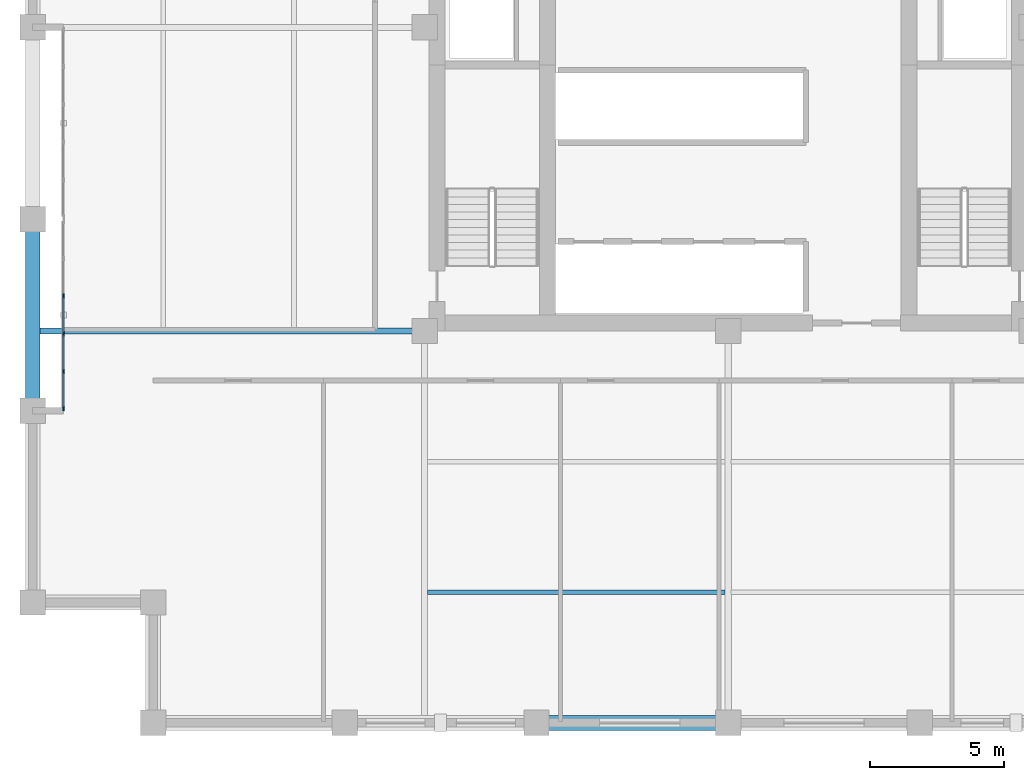
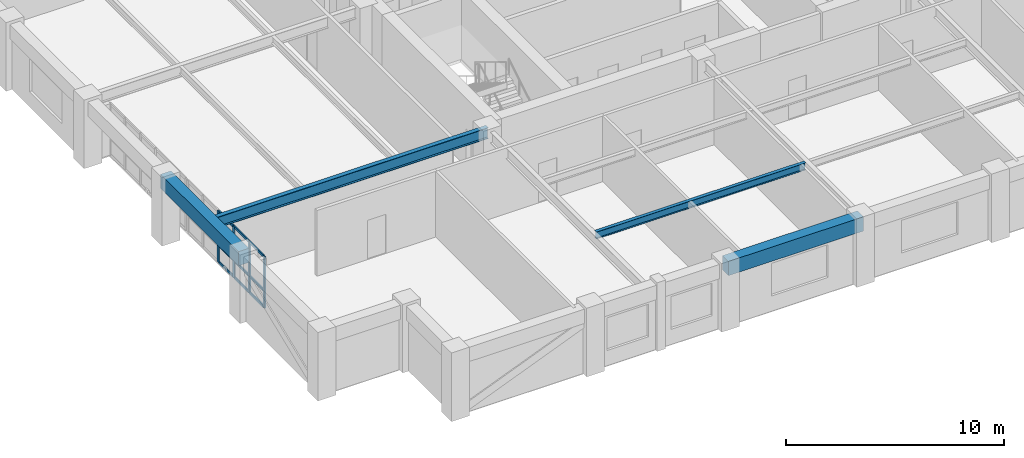
# One storey, part 2 of 12: 13 members, 4 beams, 1 element without a shape of its own.
"""IFC4 building model written with IfcOpenShell, lengths in metres."""

from ifc_helpers import new_model, si_unit, direction, frame, origin, origin_2d, place, context, subcontext, project, spatial, rectangle, i_section, extrude, material, layer, layer_set, material_profile, profile_set, type_object, element, aggregate, save


model = new_model("IFC4")

# Units and contexts
model_context = context("Model", 3, precision=1e-05, world=origin(), true_north=direction((0.0, 1.0)))
body_context = subcontext(model_context, "Body", "Model", "MODEL_VIEW")
ifc_project = project(units=[si_unit("LENGTHUNIT", "METRE"), si_unit("AREAUNIT", "SQUARE_METRE"), si_unit("VOLUMEUNIT", "CUBIC_METRE"), si_unit("PLANEANGLEUNIT", "RADIAN"), si_unit("MASSUNIT", "GRAM", prefix="KILO")], contexts=[model_context])

# Site, building, storey
site_placement = place(None, origin())
site = spatial("IfcSite", under=ifc_project, at=site_placement, CompositionType="ELEMENT")
building_placement = place(site_placement, origin())
building = spatial("IfcBuilding", under=site, at=building_placement, Name="Nhamokura Convention Tower", CompositionType="ELEMENT")
storey_placement = place(building_placement, frame((0.0, 0.0, 164.5)))
storey = spatial("IfcBuildingStorey", under=building, at=storey_placement, Name="L40", CompositionType="ELEMENT", Elevation=164.5)

# Curtain wall, members
ifc_material_1 = material(Name="Anodised bronze aluminium AA6063-T6", Category="aluminium")
ifc_layer = layer(ifc_material_1, 0.159912109375)
ifc_layer_set = layer_set([ifc_layer], Name="CWSystem_ScaleSlot_Zone2")
curtain_wall_type = type_object("IfcCurtainWallType", Name="CWSystem_ScaleSlot_Zone2", PredefinedType="NOTDEFINED", material=ifc_layer_set)
curtain_wall_placement = place(storey_placement, origin())
curtain_wall = element("IfcCurtainWall", 1, at=curtain_wall_placement, inside=storey, type_object=curtain_wall_type, Name="L40 Curtain Wall ENV-L40-SLOT-W1", PredefinedType="NOTDEFINED")
ifc_material_2 = material(Name="Anodised bronze aluminium AA6063-T6", Category="aluminium")
ifc_material_profile_1 = material_profile(ifc_material_2, rectangle(XDim=0.06494140625, YDim=0.1650390625, at=origin_2d()))
ifc_profile_set_1 = profile_set([ifc_material_profile_1], Name="Anodised bronze aluminium AA6063-T6")
member_type_1 = type_object("IfcMemberType", Name="CWMullion_3", PredefinedType="MULLION", material=ifc_profile_set_1)
member_1_placement = place(storey_placement, frame((7.14990234375, 17.75927734375, 0.0), z_axis=(0.0, 0.0, 1.0), x_axis=(-1.0, 0.0, 0.0)))
member_1 = element("IfcMember", 2, at=member_1_placement, type_object=member_type_1, Name="CW-04 mullion 1", PredefinedType="MULLION", context=body_context, shape_type="SweptSolid", body=[
    extrude(rectangle(XDim=0.06494140625, YDim=0.1650390625, at=origin_2d()), origin(), (0.0, 0.0, 1.0), 2.885009765625),
])
member_2_placement = place(storey_placement, frame((7.14990234375, 19.135986328125, 0.0), z_axis=(0.0, 0.0, 1.0), x_axis=(-1.0, 0.0, 0.0)))
member_2 = element("IfcMember", 3, at=member_2_placement, type_object=member_type_1, Name="CW-04 mullion 2", PredefinedType="MULLION", context=body_context, shape_type="SweptSolid", body=[
    extrude(rectangle(XDim=0.06494140625, YDim=0.1650390625, at=origin_2d()), origin(), (0.0, 0.0, 1.0), 2.885009765625),
])
member_3_placement = place(storey_placement, frame((7.14990234375, 20.54541015625, 0.0), z_axis=(0.0, 0.0, 1.0), x_axis=(-1.0, 0.0, 0.0)))
member_3 = element("IfcMember", 4, at=member_3_placement, type_object=member_type_1, Name="CW-04 mullion 3", PredefinedType="MULLION", context=body_context, shape_type="SweptSolid", body=[
    extrude(rectangle(XDim=0.06494140625, YDim=0.1650390625, at=origin_2d()), origin(), (0.0, 0.0, 1.0), 2.885009765625),
])
member_4_placement = place(storey_placement, frame((7.14990234375, 21.95458984375, 0.0), z_axis=(0.0, 0.0, 1.0), x_axis=(-1.0, 0.0, 0.0)))
member_4 = element("IfcMember", 5, at=member_4_placement, type_object=member_type_1, Name="CW-04 mullion 4", PredefinedType="MULLION", context=body_context, shape_type="SweptSolid", body=[
    extrude(rectangle(XDim=0.06494140625, YDim=0.1650390625, at=origin_2d()), origin(), (0.0, 0.0, 1.0), 2.885009765625),
])
ifc_material_3 = material(Name="Anodised bronze aluminium AA6063-T6", Category="aluminium")
ifc_material_profile_2 = material_profile(ifc_material_3, rectangle(XDim=0.06494140625, YDim=0.139892578125, at=origin_2d()))
ifc_profile_set_2 = profile_set([ifc_material_profile_2], Name="Anodised bronze aluminium AA6063-T6")
member_type_2 = type_object("IfcMemberType", Name="CWTransom_3", PredefinedType="USERDEFINED", material=ifc_profile_set_2)
member_5_placement = place(storey_placement, frame((7.14990234375, 17.791748046875, 0.032470703125), z_axis=(0.0, 1.0, 0.0), x_axis=(-1.0, 0.0, 0.0)))
member_5 = element("IfcMember", 6, at=member_5_placement, type_object=member_type_2, Name="CW-04 transom 1.1", ObjectType="TRANSOM", PredefinedType="USERDEFINED", context=body_context, shape_type="SweptSolid", body=[
    extrude(rectangle(XDim=0.06494140625, YDim=0.139892578125, at=origin_2d()), origin(), (0.0, 0.0, 1.0), 1.311767578125),
])
member_6_placement = place(storey_placement, frame((7.14990234375, 17.791748046875, 0.949951171875), z_axis=(0.0, 1.0, 0.0), x_axis=(-1.0, 0.0, 0.0)))
member_6 = element("IfcMember", 7, at=member_6_placement, type_object=member_type_2, Name="CW-04 transom 1.2", ObjectType="TRANSOM", PredefinedType="USERDEFINED", context=body_context, shape_type="SweptSolid", body=[
    extrude(rectangle(XDim=0.06494140625, YDim=0.139892578125, at=origin_2d()), origin(), (0.0, 0.0, 1.0), 1.311767578125),
])
member_7_placement = place(storey_placement, frame((7.14990234375, 17.791748046875, 2.8525390625), z_axis=(0.0, 1.0, 0.0), x_axis=(-1.0, 0.0, 0.0)))
member_7 = element("IfcMember", 8, at=member_7_placement, type_object=member_type_2, Name="CW-04 transom 1.3", ObjectType="TRANSOM", PredefinedType="USERDEFINED", context=body_context, shape_type="SweptSolid", body=[
    extrude(rectangle(XDim=0.06494140625, YDim=0.139892578125, at=origin_2d()), origin(), (0.0, 0.0, 1.0), 1.311767578125),
])
member_8_placement = place(storey_placement, frame((7.14990234375, 19.16845703125, 0.032470703125), z_axis=(0.0, 1.0, 0.0), x_axis=(-1.0, 0.0, 0.0)))
member_8 = element("IfcMember", 9, at=member_8_placement, type_object=member_type_2, Name="CW-04 transom 2.1", ObjectType="TRANSOM", PredefinedType="USERDEFINED", context=body_context, shape_type="SweptSolid", body=[
    extrude(rectangle(XDim=0.06494140625, YDim=0.139892578125, at=origin_2d()), origin(), (0.0, 0.0, 1.0), 1.344482421875),
])
member_9_placement = place(storey_placement, frame((7.14990234375, 19.16845703125, 0.949951171875), z_axis=(0.0, 1.0, 0.0), x_axis=(-1.0, 0.0, 0.0)))
member_9 = element("IfcMember", 10, at=member_9_placement, type_object=member_type_2, Name="CW-04 transom 2.2", ObjectType="TRANSOM", PredefinedType="USERDEFINED", context=body_context, shape_type="SweptSolid", body=[
    extrude(rectangle(XDim=0.06494140625, YDim=0.139892578125, at=origin_2d()), origin(), (0.0, 0.0, 1.0), 1.344482421875),
])
member_10_placement = place(storey_placement, frame((7.14990234375, 19.16845703125, 2.8525390625), z_axis=(0.0, 1.0, 0.0), x_axis=(-1.0, 0.0, 0.0)))
member_10 = element("IfcMember", 11, at=member_10_placement, type_object=member_type_2, Name="CW-04 transom 2.3", ObjectType="TRANSOM", PredefinedType="USERDEFINED", context=body_context, shape_type="SweptSolid", body=[
    extrude(rectangle(XDim=0.06494140625, YDim=0.139892578125, at=origin_2d()), origin(), (0.0, 0.0, 1.0), 1.344482421875),
])
member_11_placement = place(storey_placement, frame((7.14990234375, 20.577880859375, 0.032470703125), z_axis=(0.0, 1.0, 0.0), x_axis=(-1.0, 0.0, 0.0)))
member_11 = element("IfcMember", 12, at=member_11_placement, type_object=member_type_2, Name="CW-04 transom 3.1", ObjectType="TRANSOM", PredefinedType="USERDEFINED", context=body_context, shape_type="SweptSolid", body=[
    extrude(rectangle(XDim=0.06494140625, YDim=0.139892578125, at=origin_2d()), origin(), (0.0, 0.0, 1.0), 1.34423828125),
])
member_12_placement = place(storey_placement, frame((7.14990234375, 20.577880859375, 0.949951171875), z_axis=(0.0, 1.0, 0.0), x_axis=(-1.0, 0.0, 0.0)))
member_12 = element("IfcMember", 13, at=member_12_placement, type_object=member_type_2, Name="CW-04 transom 3.2", ObjectType="TRANSOM", PredefinedType="USERDEFINED", context=body_context, shape_type="SweptSolid", body=[
    extrude(rectangle(XDim=0.06494140625, YDim=0.139892578125, at=origin_2d()), origin(), (0.0, 0.0, 1.0), 1.34423828125),
])
member_13_placement = place(storey_placement, frame((7.14990234375, 20.577880859375, 2.8525390625), z_axis=(0.0, 1.0, 0.0), x_axis=(-1.0, 0.0, 0.0)))
member_13 = element("IfcMember", 14, at=member_13_placement, type_object=member_type_2, Name="CW-04 transom 3.3", ObjectType="TRANSOM", PredefinedType="USERDEFINED", context=body_context, shape_type="SweptSolid", body=[
    extrude(rectangle(XDim=0.06494140625, YDim=0.139892578125, at=origin_2d()), origin(), (0.0, 0.0, 1.0), 1.34423828125),
])
aggregate(curtain_wall, [member_1, member_2, member_3, member_4, member_5, member_6, member_7, member_8, member_9, member_10, member_11, member_12, member_13])

# Beams
ifc_material_4 = material(Name="Steel ASTM A992 Gr 50", Category="steel")
ifc_material_profile_3 = material_profile(ifc_material_4, i_section(OverallWidth=0.177001953125, OverallDepth=0.403076171875, WebThickness=0.007568359375, FlangeThickness=0.010986328125, at=origin_2d()))
ifc_profile_set_3 = profile_set([ifc_material_profile_3], Name="Steel ASTM A992 Gr 50")
beam_type_1 = type_object("IfcBeamType", Name="FloorJoist_W410X53", PredefinedType="JOIST", material=ifc_profile_set_3)
beam_1_placement = place(storey_placement, frame((20.762939453125, 10.88330078125, 3.4833984375), z_axis=(1.0, 0.0, 0.0), x_axis=(0.0, 1.0, 0.0)))
element("IfcBeam", 15, at=beam_1_placement, inside=storey, type_object=beam_type_1, Name="L40 Composite Floor Joist S1A", PredefinedType="JOIST", context=body_context, shape_type="SweptSolid", body=[
    extrude(i_section(OverallWidth=0.177001953125, OverallDepth=0.403076171875, WebThickness=0.007568359375, FlangeThickness=0.010986328125, at=origin_2d()), origin(), (0.0, 0.0, 1.0), 11.1240234375),
])
ifc_material_5 = material(Name="Steel ASTM A992 Gr 50", Category="steel")
ifc_material_profile_4 = material_profile(ifc_material_5, i_section(OverallWidth=0.22998046875, OverallDepth=0.616943359375, WebThickness=0.01318359375, FlangeThickness=0.022216796875, at=origin_2d()))
ifc_profile_set_4 = profile_set([ifc_material_profile_4], Name="Steel ASTM A992 Gr 50")
beam_type_2 = type_object("IfcBeamType", Name="PrimaryGirder_W610X140", PredefinedType="BEAM", material=ifc_profile_set_4)
beam_2_placement = place(storey_placement, frame((6.0, 20.64990234375, 3.37646484375), z_axis=(1.0, 0.0, 0.0), x_axis=(0.0, 1.0, 0.0)))
element("IfcBeam", 16, at=beam_2_placement, inside=storey, type_object=beam_type_2, Name="L40 Primary Floor Girder PG-W1", PredefinedType="BEAM", context=body_context, shape_type="SweptSolid", body=[
    extrude(i_section(OverallWidth=0.22998046875, OverallDepth=0.616943359375, WebThickness=0.01318359375, FlangeThickness=0.022216796875, at=origin_2d()), origin(), (0.0, 0.0, 1.0), 14.64990234375),
])
ifc_material_6 = material(Name="Concrete C50/60", Category="concrete")
ifc_material_profile_5 = material_profile(ifc_material_6, rectangle(XDim=0.550048828125, YDim=0.800048828125, at=origin_2d()))
ifc_profile_set_5 = profile_set([ifc_material_profile_5], Name="Concrete C50/60")
beam_type_3 = type_object("IfcBeamType", Name="TubeSpandrel_800", PredefinedType="SPANDREL", material=ifc_profile_set_5)
beam_3_placement = place(storey_placement, frame((24.833251953125, 6.0, 3.284912109375), z_axis=(1.0, 0.0, 0.0), x_axis=(0.0, 1.0, 0.0)))
element("IfcBeam", 17, at=beam_3_placement, inside=storey, type_object=beam_type_3, Name="L40 Perimeter Spandrel SOUTH 3", PredefinedType="SPANDREL", context=body_context, shape_type="SweptSolid", body=[
    extrude(rectangle(XDim=0.550048828125, YDim=0.800048828125, at=origin_2d()), origin(), (0.0, 0.0, 1.0), 7.166748046875),
])
beam_4_placement = place(storey_placement, frame((6.0, 17.666748046875, 3.284912109375), z_axis=(0.0, 1.0, 0.0), x_axis=(-1.0, 0.0, 0.0)))
element("IfcBeam", 18, at=beam_4_placement, inside=storey, type_object=beam_type_3, Name="L40 Perimeter Spandrel WEST 2", PredefinedType="SPANDREL", context=body_context, shape_type="SweptSolid", body=[
    extrude(rectangle(XDim=0.550048828125, YDim=0.800048828125, at=origin_2d()), origin(), (0.0, 0.0, 1.0), 7.16650390625),
])

save(model, "model.ifc")
